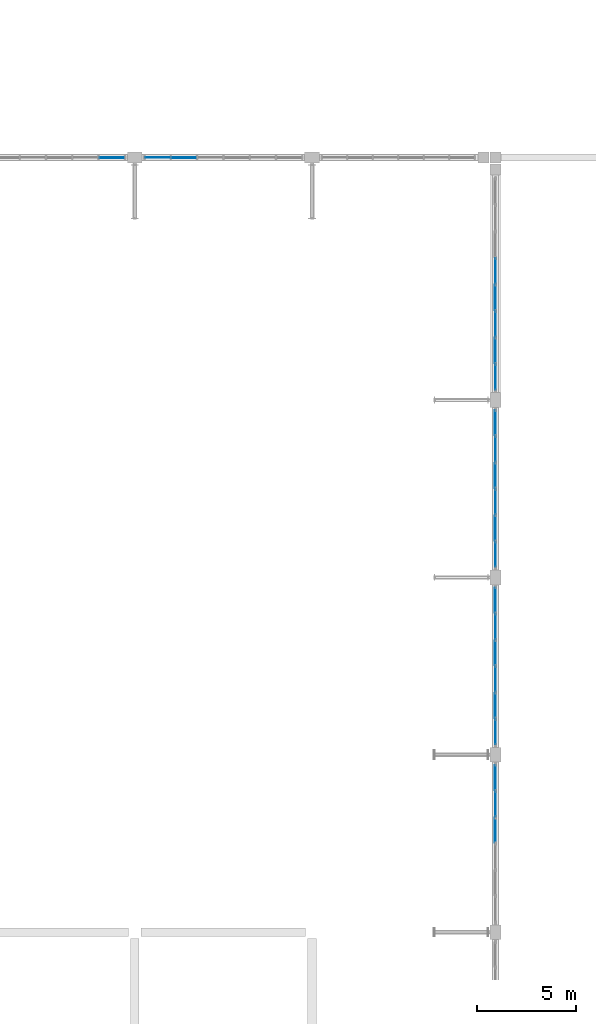
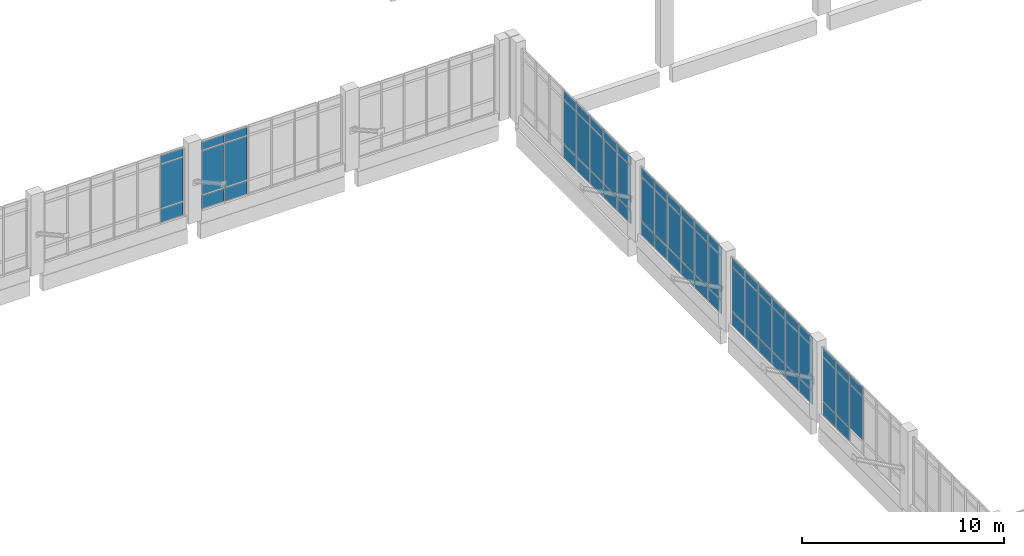
# One storey, part 65 of 110: 68 plates, 6 elements without a shape of their own.
"""IFC4 building model written with IfcOpenShell, lengths in metres."""

from ifc_helpers import new_model, si_unit, direction, frame, origin, origin_2d, place, context, subcontext, project, spatial, rectangle, extrude, material, layer, layer_set, type_object, element, aggregate, save


model = new_model("IFC4")

# Units and contexts
model_context = context("Model", 3, precision=1e-05, world=origin(), true_north=direction((0.0, 1.0)))
body_context = subcontext(model_context, "Body", "Model", "MODEL_VIEW")
ifc_project = project(units=[si_unit("LENGTHUNIT", "METRE"), si_unit("AREAUNIT", "SQUARE_METRE"), si_unit("VOLUMEUNIT", "CUBIC_METRE"), si_unit("PLANEANGLEUNIT", "RADIAN"), si_unit("MASSUNIT", "GRAM", prefix="KILO")], contexts=[model_context])

# Site, building, storey
site_placement = place(None, origin())
site = spatial("IfcSite", under=ifc_project, at=site_placement, CompositionType="ELEMENT")
building_placement = place(site_placement, origin())
building = spatial("IfcBuilding", under=site, at=building_placement, Name="Zacnel Wholesale Market", CompositionType="ELEMENT")
storey_placement = place(building_placement, frame((0.0, 0.0, 6.300048828125)))
storey = spatial("IfcBuildingStorey", under=building, at=storey_placement, Name="L02", CompositionType="ELEMENT", Elevation=6.300048828125)

# Curtain wall, plate
ifc_material_1 = material(Name="Anodised aluminium", Category="aluminium")
ifc_layer_1 = layer(ifc_material_1, 0.159912109375)
ifc_layer_set_1 = layer_set([ifc_layer_1], Name="Anodised aluminium")
curtain_wall_type = type_object("IfcCurtainWallType", Name="CW-NAVE-4200", PredefinedType="NOTDEFINED", material=ifc_layer_set_1)
curtain_wall_1_placement = place(storey_placement, origin())
curtain_wall_1 = element("IfcCurtainWall", 1, at=curtain_wall_1_placement, inside=storey, type_object=curtain_wall_type, Name="Curtain wall ENV-R2-CW-L02-025", PredefinedType="NOTDEFINED")
ifc_material_2 = material(Name="Laminated hurricane-impact low-E insulated glass", Category="glass")
ifc_layer_2 = layer(ifc_material_2, 0.031982421875)
ifc_layer_set_2 = layer_set([ifc_layer_2], Name="Laminated hurricane-impact low-E insulated glass")
plate_type_1 = type_object("IfcPlateType", Name="CWP-PNL-02", PredefinedType="CURTAIN_PANEL", material=ifc_layer_set_2)
plate_1_placement = place(storey_placement, frame((124.83740234375, 96.300048828125, 1.330078125), z_axis=(0.0, 0.0, 1.0), x_axis=(1.0, 0.0, 0.0)))
plate_1 = element("IfcPlate", 2, at=plate_1_placement, type_object=plate_type_1, Name="ENV-R2-CW-L02-025 panel 6-2", PredefinedType="CURTAIN_PANEL", context=body_context, shape_type="SweptSolid", body=[
    extrude(rectangle(XDim=1.264892578125, YDim=0.031982421875, at=origin_2d()), origin(), (0.0, 0.0, 1.0), 2.639892578125),
])

# Curtain wall, plates
curtain_wall_2_placement = place(storey_placement, origin())
curtain_wall_2 = element("IfcCurtainWall", 3, at=curtain_wall_2_placement, inside=storey, type_object=curtain_wall_type, Name="Curtain wall ENV-R2-CW-L02-026", PredefinedType="NOTDEFINED")
plate_2_placement = place(storey_placement, frame((127.16259765625, 96.300048828125, 1.330078125), z_axis=(0.0, 0.0, 1.0), x_axis=(1.0, 0.0, 0.0)))
plate_2 = element("IfcPlate", 4, at=plate_2_placement, type_object=plate_type_1, Name="ENV-R2-CW-L02-026 panel 1-2", PredefinedType="CURTAIN_PANEL", context=body_context, shape_type="SweptSolid", body=[
    extrude(rectangle(XDim=1.264892578125, YDim=0.031982421875, at=origin_2d()), origin(), (0.0, 0.0, 1.0), 2.639892578125),
])
plate_3_placement = place(storey_placement, frame((128.49755859375, 96.300048828125, 1.330078125), z_axis=(0.0, 0.0, 1.0), x_axis=(1.0, 0.0, 0.0)))
plate_3 = element("IfcPlate", 5, at=plate_3_placement, type_object=plate_type_1, Name="ENV-R2-CW-L02-026 panel 2-2", PredefinedType="CURTAIN_PANEL", context=body_context, shape_type="SweptSolid", body=[
    extrude(rectangle(XDim=1.264892578125, YDim=0.031982421875, at=origin_2d()), origin(), (0.0, 0.0, 1.0), 2.639892578125),
])

curtain_wall_3_placement = place(storey_placement, origin())
curtain_wall_3 = element("IfcCurtainWall", 6, at=curtain_wall_3_placement, inside=storey, type_object=curtain_wall_type, Name="Curtain wall ENV-R2-CW-L02-042", PredefinedType="NOTDEFINED")
plate_4_placement = place(storey_placement, frame((144.300048828125, 62.16748046875, 1.330078125), z_axis=(0.0, 0.0, 1.0), x_axis=(0.0, 1.0, 0.0)))
plate_4 = element("IfcPlate", 7, at=plate_4_placement, type_object=plate_type_1, Name="ENV-R2-CW-L02-042 panel 4-2", PredefinedType="CURTAIN_PANEL", context=body_context, shape_type="SweptSolid", body=[
    extrude(rectangle(XDim=1.264892578125, YDim=0.031982421875, at=origin_2d()), origin(), (0.0, 0.0, 1.0), 2.639892578125),
])
plate_5_placement = place(storey_placement, frame((144.300048828125, 63.50244140625, 1.330078125), z_axis=(0.0, 0.0, 1.0), x_axis=(0.0, 1.0, 0.0)))
plate_5 = element("IfcPlate", 8, at=plate_5_placement, type_object=plate_type_1, Name="ENV-R2-CW-L02-042 panel 5-2", PredefinedType="CURTAIN_PANEL", context=body_context, shape_type="SweptSolid", body=[
    extrude(rectangle(XDim=1.264892578125, YDim=0.031982421875, at=origin_2d()), origin(), (0.0, 0.0, 1.0), 2.639892578125),
])
plate_6_placement = place(storey_placement, frame((144.300048828125, 64.83740234375, 1.330078125), z_axis=(0.0, 0.0, 1.0), x_axis=(0.0, 1.0, 0.0)))
plate_6 = element("IfcPlate", 9, at=plate_6_placement, type_object=plate_type_1, Name="ENV-R2-CW-L02-042 panel 6-2", PredefinedType="CURTAIN_PANEL", context=body_context, shape_type="SweptSolid", body=[
    extrude(rectangle(XDim=1.264892578125, YDim=0.031982421875, at=origin_2d()), origin(), (0.0, 0.0, 1.0), 2.639892578125),
])

curtain_wall_4_placement = place(storey_placement, origin())
curtain_wall_4 = element("IfcCurtainWall", 10, at=curtain_wall_4_placement, inside=storey, type_object=curtain_wall_type, Name="Curtain wall ENV-R2-CW-L02-043", PredefinedType="NOTDEFINED")
plate_7_placement = place(storey_placement, frame((144.300048828125, 67.16259765625, 1.330078125), z_axis=(0.0, 0.0, 1.0), x_axis=(0.0, 1.0, 0.0)))
plate_7 = element("IfcPlate", 11, at=plate_7_placement, type_object=plate_type_1, Name="ENV-R2-CW-L02-043 panel 1-2", PredefinedType="CURTAIN_PANEL", context=body_context, shape_type="SweptSolid", body=[
    extrude(rectangle(XDim=1.264892578125, YDim=0.031982421875, at=origin_2d()), origin(), (0.0, 0.0, 1.0), 2.639892578125),
])
plate_8_placement = place(storey_placement, frame((144.300048828125, 68.49755859375, 1.330078125), z_axis=(0.0, 0.0, 1.0), x_axis=(0.0, 1.0, 0.0)))
plate_8 = element("IfcPlate", 12, at=plate_8_placement, type_object=plate_type_1, Name="ENV-R2-CW-L02-043 panel 2-2", PredefinedType="CURTAIN_PANEL", context=body_context, shape_type="SweptSolid", body=[
    extrude(rectangle(XDim=1.264892578125, YDim=0.031982421875, at=origin_2d()), origin(), (0.0, 0.0, 1.0), 2.639892578125),
])
plate_9_placement = place(storey_placement, frame((144.300048828125, 69.83251953125, 1.330078125), z_axis=(0.0, 0.0, 1.0), x_axis=(0.0, 1.0, 0.0)))
plate_9 = element("IfcPlate", 13, at=plate_9_placement, type_object=plate_type_1, Name="ENV-R2-CW-L02-043 panel 3-2", PredefinedType="CURTAIN_PANEL", context=body_context, shape_type="SweptSolid", body=[
    extrude(rectangle(XDim=1.264892578125, YDim=0.031982421875, at=origin_2d()), origin(), (0.0, 0.0, 1.0), 2.639892578125),
])
plate_10_placement = place(storey_placement, frame((144.300048828125, 71.16748046875, 1.330078125), z_axis=(0.0, 0.0, 1.0), x_axis=(0.0, 1.0, 0.0)))
plate_10 = element("IfcPlate", 14, at=plate_10_placement, type_object=plate_type_1, Name="ENV-R2-CW-L02-043 panel 4-2", PredefinedType="CURTAIN_PANEL", context=body_context, shape_type="SweptSolid", body=[
    extrude(rectangle(XDim=1.264892578125, YDim=0.031982421875, at=origin_2d()), origin(), (0.0, 0.0, 1.0), 2.639892578125),
])
plate_11_placement = place(storey_placement, frame((144.300048828125, 72.50244140625, 1.330078125), z_axis=(0.0, 0.0, 1.0), x_axis=(0.0, 1.0, 0.0)))
plate_11 = element("IfcPlate", 15, at=plate_11_placement, type_object=plate_type_1, Name="ENV-R2-CW-L02-043 panel 5-2", PredefinedType="CURTAIN_PANEL", context=body_context, shape_type="SweptSolid", body=[
    extrude(rectangle(XDim=1.264892578125, YDim=0.031982421875, at=origin_2d()), origin(), (0.0, 0.0, 1.0), 2.639892578125),
])
plate_12_placement = place(storey_placement, frame((144.300048828125, 73.83740234375, 1.330078125), z_axis=(0.0, 0.0, 1.0), x_axis=(0.0, 1.0, 0.0)))
plate_12 = element("IfcPlate", 16, at=plate_12_placement, type_object=plate_type_1, Name="ENV-R2-CW-L02-043 panel 6-2", PredefinedType="CURTAIN_PANEL", context=body_context, shape_type="SweptSolid", body=[
    extrude(rectangle(XDim=1.264892578125, YDim=0.031982421875, at=origin_2d()), origin(), (0.0, 0.0, 1.0), 2.639892578125),
])

curtain_wall_5_placement = place(storey_placement, origin())
curtain_wall_5 = element("IfcCurtainWall", 17, at=curtain_wall_5_placement, inside=storey, type_object=curtain_wall_type, Name="Curtain wall ENV-R2-CW-L02-044", PredefinedType="NOTDEFINED")
plate_13_placement = place(storey_placement, frame((144.300048828125, 76.16259765625, 1.330078125), z_axis=(0.0, 0.0, 1.0), x_axis=(0.0, 1.0, 0.0)))
plate_13 = element("IfcPlate", 18, at=plate_13_placement, type_object=plate_type_1, Name="ENV-R2-CW-L02-044 panel 1-2", PredefinedType="CURTAIN_PANEL", context=body_context, shape_type="SweptSolid", body=[
    extrude(rectangle(XDim=1.264892578125, YDim=0.031982421875, at=origin_2d()), origin(), (0.0, 0.0, 1.0), 2.639892578125),
])
plate_14_placement = place(storey_placement, frame((144.300048828125, 77.49755859375, 1.330078125), z_axis=(0.0, 0.0, 1.0), x_axis=(0.0, 1.0, 0.0)))
plate_14 = element("IfcPlate", 19, at=plate_14_placement, type_object=plate_type_1, Name="ENV-R2-CW-L02-044 panel 2-2", PredefinedType="CURTAIN_PANEL", context=body_context, shape_type="SweptSolid", body=[
    extrude(rectangle(XDim=1.264892578125, YDim=0.031982421875, at=origin_2d()), origin(), (0.0, 0.0, 1.0), 2.639892578125),
])
plate_15_placement = place(storey_placement, frame((144.300048828125, 78.83251953125, 1.330078125), z_axis=(0.0, 0.0, 1.0), x_axis=(0.0, 1.0, 0.0)))
plate_15 = element("IfcPlate", 20, at=plate_15_placement, type_object=plate_type_1, Name="ENV-R2-CW-L02-044 panel 3-2", PredefinedType="CURTAIN_PANEL", context=body_context, shape_type="SweptSolid", body=[
    extrude(rectangle(XDim=1.264892578125, YDim=0.031982421875, at=origin_2d()), origin(), (0.0, 0.0, 1.0), 2.639892578125),
])
plate_16_placement = place(storey_placement, frame((144.300048828125, 80.16748046875, 1.330078125), z_axis=(0.0, 0.0, 1.0), x_axis=(0.0, 1.0, 0.0)))
plate_16 = element("IfcPlate", 21, at=plate_16_placement, type_object=plate_type_1, Name="ENV-R2-CW-L02-044 panel 4-2", PredefinedType="CURTAIN_PANEL", context=body_context, shape_type="SweptSolid", body=[
    extrude(rectangle(XDim=1.264892578125, YDim=0.031982421875, at=origin_2d()), origin(), (0.0, 0.0, 1.0), 2.639892578125),
])
plate_17_placement = place(storey_placement, frame((144.300048828125, 81.50244140625, 1.330078125), z_axis=(0.0, 0.0, 1.0), x_axis=(0.0, 1.0, 0.0)))
plate_17 = element("IfcPlate", 22, at=plate_17_placement, type_object=plate_type_1, Name="ENV-R2-CW-L02-044 panel 5-2", PredefinedType="CURTAIN_PANEL", context=body_context, shape_type="SweptSolid", body=[
    extrude(rectangle(XDim=1.264892578125, YDim=0.031982421875, at=origin_2d()), origin(), (0.0, 0.0, 1.0), 2.639892578125),
])
plate_18_placement = place(storey_placement, frame((144.300048828125, 82.83740234375, 1.330078125), z_axis=(0.0, 0.0, 1.0), x_axis=(0.0, 1.0, 0.0)))
plate_18 = element("IfcPlate", 23, at=plate_18_placement, type_object=plate_type_1, Name="ENV-R2-CW-L02-044 panel 6-2", PredefinedType="CURTAIN_PANEL", context=body_context, shape_type="SweptSolid", body=[
    extrude(rectangle(XDim=1.264892578125, YDim=0.031982421875, at=origin_2d()), origin(), (0.0, 0.0, 1.0), 2.639892578125),
])

curtain_wall_6_placement = place(storey_placement, origin())
curtain_wall_6 = element("IfcCurtainWall", 24, at=curtain_wall_6_placement, inside=storey, type_object=curtain_wall_type, Name="Curtain wall ENV-R2-CW-L02-045", PredefinedType="NOTDEFINED")
plate_19_placement = place(storey_placement, frame((144.300048828125, 85.167236328125, 1.330078125), z_axis=(0.0, 0.0, 1.0), x_axis=(0.0, 1.0, 0.0)))
plate_19 = element("IfcPlate", 25, at=plate_19_placement, type_object=plate_type_1, Name="ENV-R2-CW-L02-045 panel 1-2", PredefinedType="CURTAIN_PANEL", context=body_context, shape_type="SweptSolid", body=[
    extrude(rectangle(XDim=1.2744140625, YDim=0.031982421875, at=origin_2d()), origin(), (0.0, 0.0, 1.0), 2.639892578125),
])
plate_20_placement = place(storey_placement, frame((144.300048828125, 86.51171875, 1.330078125), z_axis=(0.0, 0.0, 1.0), x_axis=(0.0, 1.0, 0.0)))
plate_20 = element("IfcPlate", 26, at=plate_20_placement, type_object=plate_type_1, Name="ENV-R2-CW-L02-045 panel 2-2", PredefinedType="CURTAIN_PANEL", context=body_context, shape_type="SweptSolid", body=[
    extrude(rectangle(XDim=1.2744140625, YDim=0.031982421875, at=origin_2d()), origin(), (0.0, 0.0, 1.0), 2.639892578125),
])
plate_21_placement = place(storey_placement, frame((144.300048828125, 87.85595703125, 1.330078125), z_axis=(0.0, 0.0, 1.0), x_axis=(0.0, 1.0, 0.0)))
plate_21 = element("IfcPlate", 27, at=plate_21_placement, type_object=plate_type_1, Name="ENV-R2-CW-L02-045 panel 3-2", PredefinedType="CURTAIN_PANEL", context=body_context, shape_type="SweptSolid", body=[
    extrude(rectangle(XDim=1.2744140625, YDim=0.031982421875, at=origin_2d()), origin(), (0.0, 0.0, 1.0), 2.639892578125),
])
plate_22_placement = place(storey_placement, frame((144.300048828125, 89.2001953125, 1.330078125), z_axis=(0.0, 0.0, 1.0), x_axis=(0.0, 1.0, 0.0)))
plate_22 = element("IfcPlate", 28, at=plate_22_placement, type_object=plate_type_1, Name="ENV-R2-CW-L02-045 panel 4-2", PredefinedType="CURTAIN_PANEL", context=body_context, shape_type="SweptSolid", body=[
    extrude(rectangle(XDim=1.2744140625, YDim=0.031982421875, at=origin_2d()), origin(), (0.0, 0.0, 1.0), 2.639892578125),
])
plate_23_placement = place(storey_placement, frame((144.300048828125, 90.544677734375, 1.330078125), z_axis=(0.0, 0.0, 1.0), x_axis=(0.0, 1.0, 0.0)))
plate_23 = element("IfcPlate", 29, at=plate_23_placement, type_object=plate_type_1, Name="ENV-R2-CW-L02-045 panel 5-2", PredefinedType="CURTAIN_PANEL", context=body_context, shape_type="SweptSolid", body=[
    extrude(rectangle(XDim=1.2744140625, YDim=0.031982421875, at=origin_2d()), origin(), (0.0, 0.0, 1.0), 2.639892578125),
])

# Plate
ifc_material_3 = material(Name="Anodised aluminium", Category="aluminium")
ifc_layer_3 = layer(ifc_material_3, 0.0400390625)
ifc_layer_set_3 = layer_set([ifc_layer_3], Name="Anodised aluminium")
plate_type_2 = type_object("IfcPlateType", Name="CWP-PNL-05", PredefinedType="CURTAIN_PANEL", material=ifc_layer_set_3)
plate_24_placement = place(storey_placement, frame((127.16259765625, 96.300048828125, 0.47998046875), z_axis=(0.0, 0.0, 1.0), x_axis=(1.0, 0.0, 0.0)))
plate_24 = element("IfcPlate", 30, at=plate_24_placement, type_object=plate_type_2, Name="ENV-R2-CW-L02-026 panel 1-1", PredefinedType="CURTAIN_PANEL", context=body_context, shape_type="SweptSolid", body=[
    extrude(rectangle(XDim=1.264892578125, YDim=0.0400390625, at=origin_2d()), origin(), (0.0, 0.0, 1.0), 0.7900390625),
])

plate_25_placement = place(storey_placement, frame((127.16259765625, 96.300048828125, 4.02978515625), z_axis=(0.0, 0.0, 1.0), x_axis=(1.0, 0.0, 0.0)))
plate_25 = element("IfcPlate", 31, at=plate_25_placement, type_object=plate_type_2, Name="ENV-R2-CW-L02-026 panel 1-3", PredefinedType="CURTAIN_PANEL", context=body_context, shape_type="SweptSolid", body=[
    extrude(rectangle(XDim=1.264892578125, YDim=0.0400390625, at=origin_2d()), origin(), (0.0, 0.0, 1.0), 0.489990234375),
])

plate_26_placement = place(storey_placement, frame((144.300048828125, 63.50244140625, 0.47998046875), z_axis=(0.0, 0.0, 1.0), x_axis=(0.0, 1.0, 0.0)))
plate_26 = element("IfcPlate", 32, at=plate_26_placement, type_object=plate_type_2, Name="ENV-R2-CW-L02-042 panel 5-1", PredefinedType="CURTAIN_PANEL", context=body_context, shape_type="SweptSolid", body=[
    extrude(rectangle(XDim=1.264892578125, YDim=0.0400390625, at=origin_2d()), origin(), (0.0, 0.0, 1.0), 0.7900390625),
])

plate_27_placement = place(storey_placement, frame((144.300048828125, 63.50244140625, 4.02978515625), z_axis=(0.0, 0.0, 1.0), x_axis=(0.0, 1.0, 0.0)))
plate_27 = element("IfcPlate", 33, at=plate_27_placement, type_object=plate_type_2, Name="ENV-R2-CW-L02-042 panel 5-3", PredefinedType="CURTAIN_PANEL", context=body_context, shape_type="SweptSolid", body=[
    extrude(rectangle(XDim=1.264892578125, YDim=0.0400390625, at=origin_2d()), origin(), (0.0, 0.0, 1.0), 0.489990234375),
])

plate_28_placement = place(storey_placement, frame((144.300048828125, 67.16259765625, 0.47998046875), z_axis=(0.0, 0.0, 1.0), x_axis=(0.0, 1.0, 0.0)))
plate_28 = element("IfcPlate", 34, at=plate_28_placement, type_object=plate_type_2, Name="ENV-R2-CW-L02-043 panel 1-1", PredefinedType="CURTAIN_PANEL", context=body_context, shape_type="SweptSolid", body=[
    extrude(rectangle(XDim=1.264892578125, YDim=0.0400390625, at=origin_2d()), origin(), (0.0, 0.0, 1.0), 0.7900390625),
])

plate_29_placement = place(storey_placement, frame((144.300048828125, 67.16259765625, 4.02978515625), z_axis=(0.0, 0.0, 1.0), x_axis=(0.0, 1.0, 0.0)))
plate_29 = element("IfcPlate", 35, at=plate_29_placement, type_object=plate_type_2, Name="ENV-R2-CW-L02-043 panel 1-3", PredefinedType="CURTAIN_PANEL", context=body_context, shape_type="SweptSolid", body=[
    extrude(rectangle(XDim=1.264892578125, YDim=0.0400390625, at=origin_2d()), origin(), (0.0, 0.0, 1.0), 0.489990234375),
])

plate_30_placement = place(storey_placement, frame((144.300048828125, 69.83251953125, 0.47998046875), z_axis=(0.0, 0.0, 1.0), x_axis=(0.0, 1.0, 0.0)))
plate_30 = element("IfcPlate", 36, at=plate_30_placement, type_object=plate_type_2, Name="ENV-R2-CW-L02-043 panel 3-1", PredefinedType="CURTAIN_PANEL", context=body_context, shape_type="SweptSolid", body=[
    extrude(rectangle(XDim=1.264892578125, YDim=0.0400390625, at=origin_2d()), origin(), (0.0, 0.0, 1.0), 0.7900390625),
])

plate_31_placement = place(storey_placement, frame((144.300048828125, 69.83251953125, 4.02978515625), z_axis=(0.0, 0.0, 1.0), x_axis=(0.0, 1.0, 0.0)))
plate_31 = element("IfcPlate", 37, at=plate_31_placement, type_object=plate_type_2, Name="ENV-R2-CW-L02-043 panel 3-3", PredefinedType="CURTAIN_PANEL", context=body_context, shape_type="SweptSolid", body=[
    extrude(rectangle(XDim=1.264892578125, YDim=0.0400390625, at=origin_2d()), origin(), (0.0, 0.0, 1.0), 0.489990234375),
])

plate_32_placement = place(storey_placement, frame((144.300048828125, 72.50244140625, 0.47998046875), z_axis=(0.0, 0.0, 1.0), x_axis=(0.0, 1.0, 0.0)))
plate_32 = element("IfcPlate", 38, at=plate_32_placement, type_object=plate_type_2, Name="ENV-R2-CW-L02-043 panel 5-1", PredefinedType="CURTAIN_PANEL", context=body_context, shape_type="SweptSolid", body=[
    extrude(rectangle(XDim=1.264892578125, YDim=0.0400390625, at=origin_2d()), origin(), (0.0, 0.0, 1.0), 0.7900390625),
])

plate_33_placement = place(storey_placement, frame((144.300048828125, 72.50244140625, 4.02978515625), z_axis=(0.0, 0.0, 1.0), x_axis=(0.0, 1.0, 0.0)))
plate_33 = element("IfcPlate", 39, at=plate_33_placement, type_object=plate_type_2, Name="ENV-R2-CW-L02-043 panel 5-3", PredefinedType="CURTAIN_PANEL", context=body_context, shape_type="SweptSolid", body=[
    extrude(rectangle(XDim=1.264892578125, YDim=0.0400390625, at=origin_2d()), origin(), (0.0, 0.0, 1.0), 0.489990234375),
])

plate_34_placement = place(storey_placement, frame((144.300048828125, 76.16259765625, 0.47998046875), z_axis=(0.0, 0.0, 1.0), x_axis=(0.0, 1.0, 0.0)))
plate_34 = element("IfcPlate", 40, at=plate_34_placement, type_object=plate_type_2, Name="ENV-R2-CW-L02-044 panel 1-1", PredefinedType="CURTAIN_PANEL", context=body_context, shape_type="SweptSolid", body=[
    extrude(rectangle(XDim=1.264892578125, YDim=0.0400390625, at=origin_2d()), origin(), (0.0, 0.0, 1.0), 0.7900390625),
])

plate_35_placement = place(storey_placement, frame((144.300048828125, 76.16259765625, 4.02978515625), z_axis=(0.0, 0.0, 1.0), x_axis=(0.0, 1.0, 0.0)))
plate_35 = element("IfcPlate", 41, at=plate_35_placement, type_object=plate_type_2, Name="ENV-R2-CW-L02-044 panel 1-3", PredefinedType="CURTAIN_PANEL", context=body_context, shape_type="SweptSolid", body=[
    extrude(rectangle(XDim=1.264892578125, YDim=0.0400390625, at=origin_2d()), origin(), (0.0, 0.0, 1.0), 0.489990234375),
])

plate_36_placement = place(storey_placement, frame((144.300048828125, 78.83251953125, 0.47998046875), z_axis=(0.0, 0.0, 1.0), x_axis=(0.0, 1.0, 0.0)))
plate_36 = element("IfcPlate", 42, at=plate_36_placement, type_object=plate_type_2, Name="ENV-R2-CW-L02-044 panel 3-1", PredefinedType="CURTAIN_PANEL", context=body_context, shape_type="SweptSolid", body=[
    extrude(rectangle(XDim=1.264892578125, YDim=0.0400390625, at=origin_2d()), origin(), (0.0, 0.0, 1.0), 0.7900390625),
])

plate_37_placement = place(storey_placement, frame((144.300048828125, 78.83251953125, 4.02978515625), z_axis=(0.0, 0.0, 1.0), x_axis=(0.0, 1.0, 0.0)))
plate_37 = element("IfcPlate", 43, at=plate_37_placement, type_object=plate_type_2, Name="ENV-R2-CW-L02-044 panel 3-3", PredefinedType="CURTAIN_PANEL", context=body_context, shape_type="SweptSolid", body=[
    extrude(rectangle(XDim=1.264892578125, YDim=0.0400390625, at=origin_2d()), origin(), (0.0, 0.0, 1.0), 0.489990234375),
])

plate_38_placement = place(storey_placement, frame((144.300048828125, 81.50244140625, 0.47998046875), z_axis=(0.0, 0.0, 1.0), x_axis=(0.0, 1.0, 0.0)))
plate_38 = element("IfcPlate", 44, at=plate_38_placement, type_object=plate_type_2, Name="ENV-R2-CW-L02-044 panel 5-1", PredefinedType="CURTAIN_PANEL", context=body_context, shape_type="SweptSolid", body=[
    extrude(rectangle(XDim=1.264892578125, YDim=0.0400390625, at=origin_2d()), origin(), (0.0, 0.0, 1.0), 0.7900390625),
])

plate_39_placement = place(storey_placement, frame((144.300048828125, 81.50244140625, 4.02978515625), z_axis=(0.0, 0.0, 1.0), x_axis=(0.0, 1.0, 0.0)))
plate_39 = element("IfcPlate", 45, at=plate_39_placement, type_object=plate_type_2, Name="ENV-R2-CW-L02-044 panel 5-3", PredefinedType="CURTAIN_PANEL", context=body_context, shape_type="SweptSolid", body=[
    extrude(rectangle(XDim=1.264892578125, YDim=0.0400390625, at=origin_2d()), origin(), (0.0, 0.0, 1.0), 0.489990234375),
])

plate_40_placement = place(storey_placement, frame((144.300048828125, 85.167236328125, 0.47998046875), z_axis=(0.0, 0.0, 1.0), x_axis=(0.0, 1.0, 0.0)))
plate_40 = element("IfcPlate", 46, at=plate_40_placement, type_object=plate_type_2, Name="ENV-R2-CW-L02-045 panel 1-1", PredefinedType="CURTAIN_PANEL", context=body_context, shape_type="SweptSolid", body=[
    extrude(rectangle(XDim=1.2744140625, YDim=0.0400390625, at=origin_2d()), origin(), (0.0, 0.0, 1.0), 0.7900390625),
])

plate_41_placement = place(storey_placement, frame((144.300048828125, 85.167236328125, 4.02978515625), z_axis=(0.0, 0.0, 1.0), x_axis=(0.0, 1.0, 0.0)))
plate_41 = element("IfcPlate", 47, at=plate_41_placement, type_object=plate_type_2, Name="ENV-R2-CW-L02-045 panel 1-3", PredefinedType="CURTAIN_PANEL", context=body_context, shape_type="SweptSolid", body=[
    extrude(rectangle(XDim=1.2744140625, YDim=0.0400390625, at=origin_2d()), origin(), (0.0, 0.0, 1.0), 0.489990234375),
])

plate_42_placement = place(storey_placement, frame((144.300048828125, 87.85595703125, 0.47998046875), z_axis=(0.0, 0.0, 1.0), x_axis=(0.0, 1.0, 0.0)))
plate_42 = element("IfcPlate", 48, at=plate_42_placement, type_object=plate_type_2, Name="ENV-R2-CW-L02-045 panel 3-1", PredefinedType="CURTAIN_PANEL", context=body_context, shape_type="SweptSolid", body=[
    extrude(rectangle(XDim=1.2744140625, YDim=0.0400390625, at=origin_2d()), origin(), (0.0, 0.0, 1.0), 0.7900390625),
])

plate_43_placement = place(storey_placement, frame((144.300048828125, 87.85595703125, 4.02978515625), z_axis=(0.0, 0.0, 1.0), x_axis=(0.0, 1.0, 0.0)))
plate_43 = element("IfcPlate", 49, at=plate_43_placement, type_object=plate_type_2, Name="ENV-R2-CW-L02-045 panel 3-3", PredefinedType="CURTAIN_PANEL", context=body_context, shape_type="SweptSolid", body=[
    extrude(rectangle(XDim=1.2744140625, YDim=0.0400390625, at=origin_2d()), origin(), (0.0, 0.0, 1.0), 0.489990234375),
])

plate_44_placement = place(storey_placement, frame((144.300048828125, 90.544677734375, 0.47998046875), z_axis=(0.0, 0.0, 1.0), x_axis=(0.0, 1.0, 0.0)))
plate_44 = element("IfcPlate", 50, at=plate_44_placement, type_object=plate_type_2, Name="ENV-R2-CW-L02-045 panel 5-1", PredefinedType="CURTAIN_PANEL", context=body_context, shape_type="SweptSolid", body=[
    extrude(rectangle(XDim=1.2744140625, YDim=0.0400390625, at=origin_2d()), origin(), (0.0, 0.0, 1.0), 0.7900390625),
])

plate_45_placement = place(storey_placement, frame((144.300048828125, 90.544677734375, 4.02978515625), z_axis=(0.0, 0.0, 1.0), x_axis=(0.0, 1.0, 0.0)))
plate_45 = element("IfcPlate", 51, at=plate_45_placement, type_object=plate_type_2, Name="ENV-R2-CW-L02-045 panel 5-3", PredefinedType="CURTAIN_PANEL", context=body_context, shape_type="SweptSolid", body=[
    extrude(rectangle(XDim=1.2744140625, YDim=0.0400390625, at=origin_2d()), origin(), (0.0, 0.0, 1.0), 0.489990234375),
])

ifc_material_4 = material(Name="Honed Yucatan Maya cream limestone", Category="masonry")
ifc_layer_4 = layer(ifc_material_4, 0.044921875)
ifc_layer_set_4 = layer_set([ifc_layer_4], Name="Honed Yucatan Maya cream limestone")
plate_type_3 = type_object("IfcPlateType", Name="CWP-PNL-06", PredefinedType="CURTAIN_PANEL", material=ifc_layer_set_4)
plate_46_placement = place(storey_placement, frame((124.83740234375, 96.300048828125, 0.47998046875), z_axis=(0.0, 0.0, 1.0), x_axis=(1.0, 0.0, 0.0)))
plate_46 = element("IfcPlate", 52, at=plate_46_placement, type_object=plate_type_3, Name="ENV-R2-CW-L02-025 panel 6-1", PredefinedType="CURTAIN_PANEL", context=body_context, shape_type="SweptSolid", body=[
    extrude(rectangle(XDim=1.264892578125, YDim=0.044921875, at=origin_2d()), origin(), (0.0, 0.0, 1.0), 0.7900390625),
])

plate_47_placement = place(storey_placement, frame((124.83740234375, 96.300048828125, 4.02978515625), z_axis=(0.0, 0.0, 1.0), x_axis=(1.0, 0.0, 0.0)))
plate_47 = element("IfcPlate", 53, at=plate_47_placement, type_object=plate_type_3, Name="ENV-R2-CW-L02-025 panel 6-3", PredefinedType="CURTAIN_PANEL", context=body_context, shape_type="SweptSolid", body=[
    extrude(rectangle(XDim=1.264892578125, YDim=0.044921875, at=origin_2d()), origin(), (0.0, 0.0, 1.0), 0.489990234375),
])

aggregate(curtain_wall_1, [plate_46, plate_1, plate_47])

plate_48_placement = place(storey_placement, frame((128.49755859375, 96.300048828125, 0.47998046875), z_axis=(0.0, 0.0, 1.0), x_axis=(1.0, 0.0, 0.0)))
plate_48 = element("IfcPlate", 54, at=plate_48_placement, type_object=plate_type_3, Name="ENV-R2-CW-L02-026 panel 2-1", PredefinedType="CURTAIN_PANEL", context=body_context, shape_type="SweptSolid", body=[
    extrude(rectangle(XDim=1.264892578125, YDim=0.044921875, at=origin_2d()), origin(), (0.0, 0.0, 1.0), 0.7900390625),
])

plate_49_placement = place(storey_placement, frame((128.49755859375, 96.300048828125, 4.02978515625), z_axis=(0.0, 0.0, 1.0), x_axis=(1.0, 0.0, 0.0)))
plate_49 = element("IfcPlate", 55, at=plate_49_placement, type_object=plate_type_3, Name="ENV-R2-CW-L02-026 panel 2-3", PredefinedType="CURTAIN_PANEL", context=body_context, shape_type="SweptSolid", body=[
    extrude(rectangle(XDim=1.264892578125, YDim=0.044921875, at=origin_2d()), origin(), (0.0, 0.0, 1.0), 0.489990234375),
])

aggregate(curtain_wall_2, [plate_24, plate_2, plate_25, plate_48, plate_3, plate_49])

plate_50_placement = place(storey_placement, frame((144.300048828125, 62.16748046875, 4.02978515625), z_axis=(0.0, 0.0, 1.0), x_axis=(0.0, 1.0, 0.0)))
plate_50 = element("IfcPlate", 56, at=plate_50_placement, type_object=plate_type_3, Name="ENV-R2-CW-L02-042 panel 4-3", PredefinedType="CURTAIN_PANEL", context=body_context, shape_type="SweptSolid", body=[
    extrude(rectangle(XDim=1.264892578125, YDim=0.044921875, at=origin_2d()), origin(), (0.0, 0.0, 1.0), 0.489990234375),
])

plate_51_placement = place(storey_placement, frame((144.300048828125, 64.83740234375, 0.47998046875), z_axis=(0.0, 0.0, 1.0), x_axis=(0.0, 1.0, 0.0)))
plate_51 = element("IfcPlate", 57, at=plate_51_placement, type_object=plate_type_3, Name="ENV-R2-CW-L02-042 panel 6-1", PredefinedType="CURTAIN_PANEL", context=body_context, shape_type="SweptSolid", body=[
    extrude(rectangle(XDim=1.264892578125, YDim=0.044921875, at=origin_2d()), origin(), (0.0, 0.0, 1.0), 0.7900390625),
])

plate_52_placement = place(storey_placement, frame((144.300048828125, 64.83740234375, 4.02978515625), z_axis=(0.0, 0.0, 1.0), x_axis=(0.0, 1.0, 0.0)))
plate_52 = element("IfcPlate", 58, at=plate_52_placement, type_object=plate_type_3, Name="ENV-R2-CW-L02-042 panel 6-3", PredefinedType="CURTAIN_PANEL", context=body_context, shape_type="SweptSolid", body=[
    extrude(rectangle(XDim=1.264892578125, YDim=0.044921875, at=origin_2d()), origin(), (0.0, 0.0, 1.0), 0.489990234375),
])

aggregate(curtain_wall_3, [plate_4, plate_50, plate_26, plate_5, plate_27, plate_51, plate_6, plate_52])

plate_53_placement = place(storey_placement, frame((144.300048828125, 68.49755859375, 0.47998046875), z_axis=(0.0, 0.0, 1.0), x_axis=(0.0, 1.0, 0.0)))
plate_53 = element("IfcPlate", 59, at=plate_53_placement, type_object=plate_type_3, Name="ENV-R2-CW-L02-043 panel 2-1", PredefinedType="CURTAIN_PANEL", context=body_context, shape_type="SweptSolid", body=[
    extrude(rectangle(XDim=1.264892578125, YDim=0.044921875, at=origin_2d()), origin(), (0.0, 0.0, 1.0), 0.7900390625),
])

plate_54_placement = place(storey_placement, frame((144.300048828125, 68.49755859375, 4.02978515625), z_axis=(0.0, 0.0, 1.0), x_axis=(0.0, 1.0, 0.0)))
plate_54 = element("IfcPlate", 60, at=plate_54_placement, type_object=plate_type_3, Name="ENV-R2-CW-L02-043 panel 2-3", PredefinedType="CURTAIN_PANEL", context=body_context, shape_type="SweptSolid", body=[
    extrude(rectangle(XDim=1.264892578125, YDim=0.044921875, at=origin_2d()), origin(), (0.0, 0.0, 1.0), 0.489990234375),
])

plate_55_placement = place(storey_placement, frame((144.300048828125, 71.16748046875, 0.47998046875), z_axis=(0.0, 0.0, 1.0), x_axis=(0.0, 1.0, 0.0)))
plate_55 = element("IfcPlate", 61, at=plate_55_placement, type_object=plate_type_3, Name="ENV-R2-CW-L02-043 panel 4-1", PredefinedType="CURTAIN_PANEL", context=body_context, shape_type="SweptSolid", body=[
    extrude(rectangle(XDim=1.264892578125, YDim=0.044921875, at=origin_2d()), origin(), (0.0, 0.0, 1.0), 0.7900390625),
])

plate_56_placement = place(storey_placement, frame((144.300048828125, 71.16748046875, 4.02978515625), z_axis=(0.0, 0.0, 1.0), x_axis=(0.0, 1.0, 0.0)))
plate_56 = element("IfcPlate", 62, at=plate_56_placement, type_object=plate_type_3, Name="ENV-R2-CW-L02-043 panel 4-3", PredefinedType="CURTAIN_PANEL", context=body_context, shape_type="SweptSolid", body=[
    extrude(rectangle(XDim=1.264892578125, YDim=0.044921875, at=origin_2d()), origin(), (0.0, 0.0, 1.0), 0.489990234375),
])

plate_57_placement = place(storey_placement, frame((144.300048828125, 73.83740234375, 0.47998046875), z_axis=(0.0, 0.0, 1.0), x_axis=(0.0, 1.0, 0.0)))
plate_57 = element("IfcPlate", 63, at=plate_57_placement, type_object=plate_type_3, Name="ENV-R2-CW-L02-043 panel 6-1", PredefinedType="CURTAIN_PANEL", context=body_context, shape_type="SweptSolid", body=[
    extrude(rectangle(XDim=1.264892578125, YDim=0.044921875, at=origin_2d()), origin(), (0.0, 0.0, 1.0), 0.7900390625),
])

plate_58_placement = place(storey_placement, frame((144.300048828125, 73.83740234375, 4.02978515625), z_axis=(0.0, 0.0, 1.0), x_axis=(0.0, 1.0, 0.0)))
plate_58 = element("IfcPlate", 64, at=plate_58_placement, type_object=plate_type_3, Name="ENV-R2-CW-L02-043 panel 6-3", PredefinedType="CURTAIN_PANEL", context=body_context, shape_type="SweptSolid", body=[
    extrude(rectangle(XDim=1.264892578125, YDim=0.044921875, at=origin_2d()), origin(), (0.0, 0.0, 1.0), 0.489990234375),
])

aggregate(curtain_wall_4, [plate_28, plate_7, plate_29, plate_53, plate_8, plate_54, plate_30, plate_9, plate_31, plate_55, plate_10, plate_56, plate_32, plate_11, plate_33, plate_57, plate_12, plate_58])

plate_59_placement = place(storey_placement, frame((144.300048828125, 77.49755859375, 0.47998046875), z_axis=(0.0, 0.0, 1.0), x_axis=(0.0, 1.0, 0.0)))
plate_59 = element("IfcPlate", 65, at=plate_59_placement, type_object=plate_type_3, Name="ENV-R2-CW-L02-044 panel 2-1", PredefinedType="CURTAIN_PANEL", context=body_context, shape_type="SweptSolid", body=[
    extrude(rectangle(XDim=1.264892578125, YDim=0.044921875, at=origin_2d()), origin(), (0.0, 0.0, 1.0), 0.7900390625),
])

plate_60_placement = place(storey_placement, frame((144.300048828125, 77.49755859375, 4.02978515625), z_axis=(0.0, 0.0, 1.0), x_axis=(0.0, 1.0, 0.0)))
plate_60 = element("IfcPlate", 66, at=plate_60_placement, type_object=plate_type_3, Name="ENV-R2-CW-L02-044 panel 2-3", PredefinedType="CURTAIN_PANEL", context=body_context, shape_type="SweptSolid", body=[
    extrude(rectangle(XDim=1.264892578125, YDim=0.044921875, at=origin_2d()), origin(), (0.0, 0.0, 1.0), 0.489990234375),
])

plate_61_placement = place(storey_placement, frame((144.300048828125, 80.16748046875, 0.47998046875), z_axis=(0.0, 0.0, 1.0), x_axis=(0.0, 1.0, 0.0)))
plate_61 = element("IfcPlate", 67, at=plate_61_placement, type_object=plate_type_3, Name="ENV-R2-CW-L02-044 panel 4-1", PredefinedType="CURTAIN_PANEL", context=body_context, shape_type="SweptSolid", body=[
    extrude(rectangle(XDim=1.264892578125, YDim=0.044921875, at=origin_2d()), origin(), (0.0, 0.0, 1.0), 0.7900390625),
])

plate_62_placement = place(storey_placement, frame((144.300048828125, 80.16748046875, 4.02978515625), z_axis=(0.0, 0.0, 1.0), x_axis=(0.0, 1.0, 0.0)))
plate_62 = element("IfcPlate", 68, at=plate_62_placement, type_object=plate_type_3, Name="ENV-R2-CW-L02-044 panel 4-3", PredefinedType="CURTAIN_PANEL", context=body_context, shape_type="SweptSolid", body=[
    extrude(rectangle(XDim=1.264892578125, YDim=0.044921875, at=origin_2d()), origin(), (0.0, 0.0, 1.0), 0.489990234375),
])

plate_63_placement = place(storey_placement, frame((144.300048828125, 82.83740234375, 0.47998046875), z_axis=(0.0, 0.0, 1.0), x_axis=(0.0, 1.0, 0.0)))
plate_63 = element("IfcPlate", 69, at=plate_63_placement, type_object=plate_type_3, Name="ENV-R2-CW-L02-044 panel 6-1", PredefinedType="CURTAIN_PANEL", context=body_context, shape_type="SweptSolid", body=[
    extrude(rectangle(XDim=1.264892578125, YDim=0.044921875, at=origin_2d()), origin(), (0.0, 0.0, 1.0), 0.7900390625),
])

plate_64_placement = place(storey_placement, frame((144.300048828125, 82.83740234375, 4.02978515625), z_axis=(0.0, 0.0, 1.0), x_axis=(0.0, 1.0, 0.0)))
plate_64 = element("IfcPlate", 70, at=plate_64_placement, type_object=plate_type_3, Name="ENV-R2-CW-L02-044 panel 6-3", PredefinedType="CURTAIN_PANEL", context=body_context, shape_type="SweptSolid", body=[
    extrude(rectangle(XDim=1.264892578125, YDim=0.044921875, at=origin_2d()), origin(), (0.0, 0.0, 1.0), 0.489990234375),
])

aggregate(curtain_wall_5, [plate_34, plate_13, plate_35, plate_59, plate_14, plate_60, plate_36, plate_15, plate_37, plate_61, plate_16, plate_62, plate_38, plate_17, plate_39, plate_63, plate_18, plate_64])

plate_65_placement = place(storey_placement, frame((144.300048828125, 86.51171875, 0.47998046875), z_axis=(0.0, 0.0, 1.0), x_axis=(0.0, 1.0, 0.0)))
plate_65 = element("IfcPlate", 71, at=plate_65_placement, type_object=plate_type_3, Name="ENV-R2-CW-L02-045 panel 2-1", PredefinedType="CURTAIN_PANEL", context=body_context, shape_type="SweptSolid", body=[
    extrude(rectangle(XDim=1.2744140625, YDim=0.044921875, at=origin_2d()), origin(), (0.0, 0.0, 1.0), 0.7900390625),
])

plate_66_placement = place(storey_placement, frame((144.300048828125, 86.51171875, 4.02978515625), z_axis=(0.0, 0.0, 1.0), x_axis=(0.0, 1.0, 0.0)))
plate_66 = element("IfcPlate", 72, at=plate_66_placement, type_object=plate_type_3, Name="ENV-R2-CW-L02-045 panel 2-3", PredefinedType="CURTAIN_PANEL", context=body_context, shape_type="SweptSolid", body=[
    extrude(rectangle(XDim=1.2744140625, YDim=0.044921875, at=origin_2d()), origin(), (0.0, 0.0, 1.0), 0.489990234375),
])

plate_67_placement = place(storey_placement, frame((144.300048828125, 89.2001953125, 0.47998046875), z_axis=(0.0, 0.0, 1.0), x_axis=(0.0, 1.0, 0.0)))
plate_67 = element("IfcPlate", 73, at=plate_67_placement, type_object=plate_type_3, Name="ENV-R2-CW-L02-045 panel 4-1", PredefinedType="CURTAIN_PANEL", context=body_context, shape_type="SweptSolid", body=[
    extrude(rectangle(XDim=1.2744140625, YDim=0.044921875, at=origin_2d()), origin(), (0.0, 0.0, 1.0), 0.7900390625),
])

plate_68_placement = place(storey_placement, frame((144.300048828125, 89.2001953125, 4.02978515625), z_axis=(0.0, 0.0, 1.0), x_axis=(0.0, 1.0, 0.0)))
plate_68 = element("IfcPlate", 74, at=plate_68_placement, type_object=plate_type_3, Name="ENV-R2-CW-L02-045 panel 4-3", PredefinedType="CURTAIN_PANEL", context=body_context, shape_type="SweptSolid", body=[
    extrude(rectangle(XDim=1.2744140625, YDim=0.044921875, at=origin_2d()), origin(), (0.0, 0.0, 1.0), 0.489990234375),
])

aggregate(curtain_wall_6, [plate_40, plate_19, plate_41, plate_65, plate_20, plate_66, plate_42, plate_21, plate_43, plate_67, plate_22, plate_68, plate_44, plate_23, plate_45])

save(model, "model.ifc")
